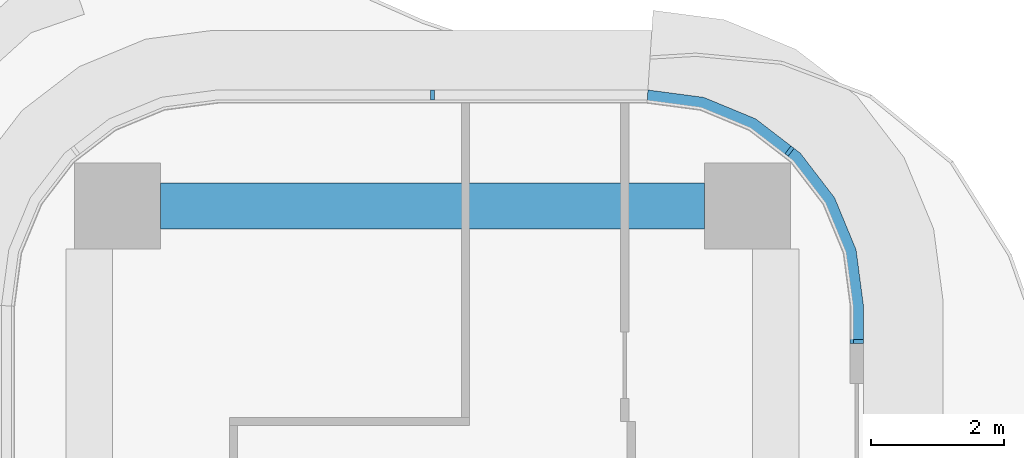
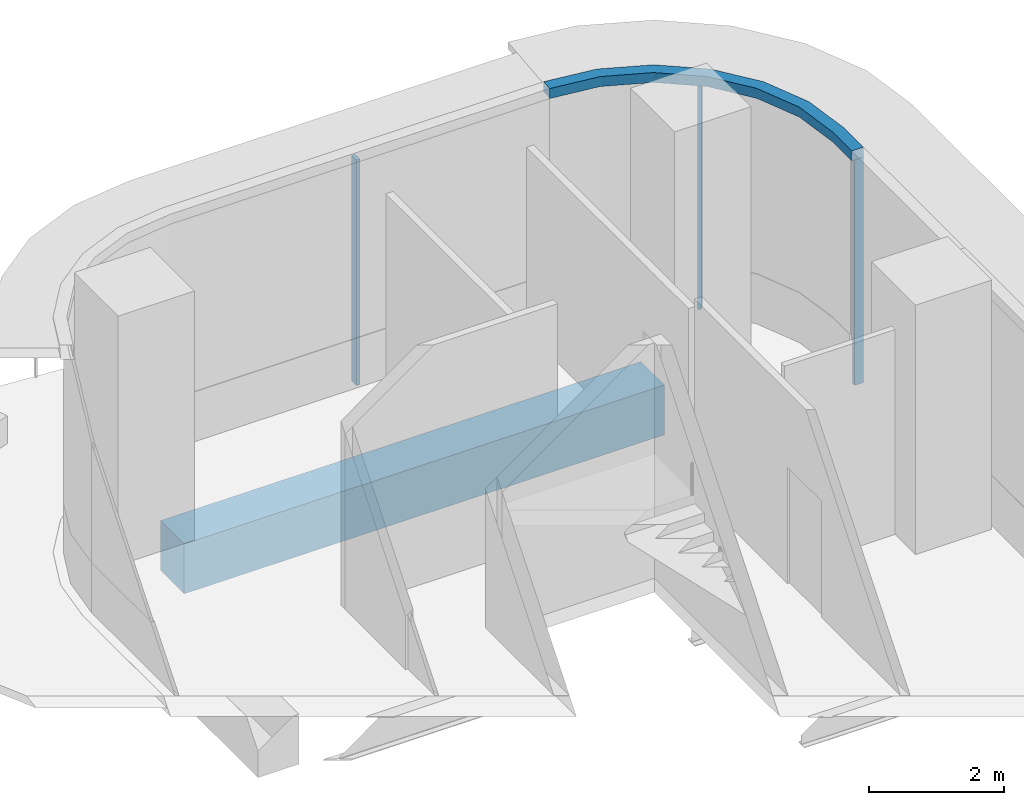
# One storey, part 11 of 20: 4 members, 1 beam, 2 elements without a shape of their own.
"""IFC4 building model written with IfcOpenShell, lengths in metres."""

from ifc_helpers import new_model, si_unit, direction, frame, origin, origin_2d, place, context, subcontext, project, spatial, polyline, rectangle, outline, extrude, source, transform, mapped, material, layer, layer_set, material_profile, profile_set, type_object, element, aggregate, save


model = new_model("IFC4")

# Units and contexts
model_context = context("Model", 3, precision=1e-05, world=origin(), true_north=direction((0.0, 1.0)))
body_context = subcontext(model_context, "Body", "Model", "MODEL_VIEW")
ifc_project = project(units=[si_unit("LENGTHUNIT", "METRE"), si_unit("AREAUNIT", "SQUARE_METRE"), si_unit("VOLUMEUNIT", "CUBIC_METRE"), si_unit("PLANEANGLEUNIT", "RADIAN"), si_unit("MASSUNIT", "GRAM", prefix="KILO")], contexts=[model_context])

# Site, building, storey
site_placement = place(None, origin())
site = spatial("IfcSite", under=ifc_project, at=site_placement, CompositionType="ELEMENT")
building_placement = place(site_placement, origin())
building = spatial("IfcBuilding", under=site, at=building_placement, Name="Trellis Farm Tower", CompositionType="ELEMENT")
storey_placement = place(building_placement, frame((0.0, 0.0, 133.5)))
storey = spatial("IfcBuildingStorey", under=building, at=storey_placement, Name="L28", CompositionType="ELEMENT", Elevation=133.5)

# Beam
ifc_material_1 = material(Name="Concrete C60/75", Category="concrete")
ifc_material_profile_1 = material_profile(ifc_material_1, rectangle(XDim=0.699951171875, YDim=0.89990234375, at=origin_2d()), Name="RC spandrel beam 700x900 C60/75")
ifc_profile_set_1 = profile_set([ifc_material_profile_1], Name="Concrete C60/75")
beam_type = type_object("IfcBeamType", Name="RC spandrel beam 700x900 C60/75", PredefinedType="SPANDREL", material=ifc_profile_set_1)
shared_shape_1 = source(origin(), body_context, "Body", "SweptSolid", [
    extrude(rectangle(XDim=0.699951171875, YDim=0.89990234375, at=origin_2d()), origin(), (0.0, 0.0, 1.0), 8.2001953125),
])
beam_placement = place(storey_placement, frame((-4.10009765625, 24.25, -0.699951171875), z_axis=(1.0, 0.0, 0.0), x_axis=(0.0, 1.0, 0.0)))
element("IfcBeam", 1, at=beam_placement, inside=storey, type_object=beam_type, Name="Girder", PredefinedType="SPANDREL", context=body_context, shape_type="MappedRepresentation", body=[
    mapped(shared_shape_1, transform((0.0, 0.0, 0.0))),
])

# Curtain wall, members
ifc_material_2 = material(Name="Aluminium and glass curtain wall", Category="aluminium")
ifc_layer_1 = layer(ifc_material_2, 0.18994140625)
ifc_layer_set_1 = layer_set([ifc_layer_1], Name="RIBBON CURTAIN WALL CW1")
curtain_wall_type = type_object("IfcCurtainWallType", Name="RIBBON CURTAIN WALL CW1", PredefinedType="NOTDEFINED", material=ifc_layer_set_1)
placement = place(storey_placement, origin())
curtain_wall_1 = element("IfcCurtainWall", 2, at=placement, inside=storey, type_object=curtain_wall_type, Name="CW1 009", PredefinedType="NOTDEFINED")
ifc_material_3 = material(Name="Aluminium extrusion 6063-T6", Category="aluminium")
ifc_material_profile_2 = material_profile(ifc_material_3, rectangle(XDim=0.06005859375, YDim=0.14990234375, at=origin_2d()), Name="MULLION 60x150")
ifc_profile_set_2 = profile_set([ifc_material_profile_2], Name="Aluminium extrusion 6063-T6")
member_type_1 = type_object("IfcMemberType", Name="CW1 MULLION 60x150", PredefinedType="MULLION", material=ifc_profile_set_2)
shared_shape_2 = source(origin(), body_context, "Body", "SweptSolid", [
    extrude(rectangle(XDim=0.06005859375, YDim=0.14990234375, at=origin_2d()), origin(), (0.0, 0.0, 1.0), 4.070068359375),
])
member_1_placement = place(storey_placement, frame((6.425048828125, 22.205078125, 0.0), z_axis=(0.0, 0.0, 1.0), x_axis=(0.0, 1.0, 0.0)))
member_1 = element("IfcMember", 3, at=member_1_placement, type_object=member_type_1, Name="MU1 009-01", PredefinedType="MULLION", context=body_context, shape_type="MappedRepresentation", body=[
    mapped(shared_shape_2, transform((0.0, 0.0, 0.0))),
])
member_2_placement = place(storey_placement, frame((5.385498046875, 25.078369140625, 0.0), z_axis=(0.0, 0.0, 1.0), x_axis=(-0.793353340291, 0.608761429009, 0.0)))
member_2 = element("IfcMember", 4, at=member_2_placement, type_object=member_type_1, Name="MU1 009-02", PredefinedType="MULLION", context=body_context, shape_type="MappedRepresentation", body=[
    mapped(shared_shape_2, transform((0.0, 0.0, 0.0))),
])

# Curtain wall, member
curtain_wall_2 = element("IfcCurtainWall", 5, at=placement, inside=storey, type_object=curtain_wall_type, Name="CW1 010", PredefinedType="NOTDEFINED")
member_3_placement = place(storey_placement, frame((0.0, 25.925048828125, 0.0), z_axis=(0.0, 0.0, 1.0), x_axis=(-1.0, 0.0, 0.0)))
member_3 = element("IfcMember", 6, at=member_3_placement, type_object=member_type_1, Name="MU1 010-01", PredefinedType="MULLION", context=body_context, shape_type="MappedRepresentation", body=[
    mapped(shared_shape_2, transform((0.0, 0.0, 0.0))),
])
aggregate(curtain_wall_2, [member_3])

# Member
ifc_layer_2 = layer(ifc_material_3, 0.199951171875)
ifc_layer_set_2 = layer_set([ifc_layer_2], Name="Aluminium extrusion 6063-T6")
member_type_2 = type_object("IfcMemberType", Name="CW1 TRANSOM 200x180", PredefinedType="USERDEFINED", material=ifc_layer_set_2)
shared_shape_3 = source(origin(), body_context, "Body", "SweptSolid", [
    extrude(outline(polyline([(6.5, 22.175048828125), (6.5, 22.75), (6.38916015625, 23.591064453125), (6.064697265625, 24.375), (5.548095703125, 25.048095703125), (4.875, 25.564697265625), (4.091064453125, 25.88916015625), (3.25, 26.0), (3.23681640625, 25.800048828125), (4.0390625, 25.6943359375), (4.774169921875, 25.389892578125), (5.405517578125, 24.905517578125), (5.889892578125, 24.274169921875), (6.1943359375, 23.5390625), (6.300048828125, 22.73681640625), (6.300048828125, 22.175048828125), (6.5, 22.175048828125)])), origin(), (0.0, 0.0, 1.0), 0.179931640625),
])
member_4_placement = place(storey_placement, frame((0.0, 0.0, 4.070068359375)))
member_4 = element("IfcMember", 7, at=member_4_placement, type_object=member_type_2, Name="TR1 009", ObjectType="TRANSOM", PredefinedType="USERDEFINED", context=body_context, shape_type="MappedRepresentation", body=[
    mapped(shared_shape_3, transform((0.0, 0.0, 0.0))),
])

aggregate(curtain_wall_1, [member_1, member_2, member_4])

save(model, "model.ifc")
